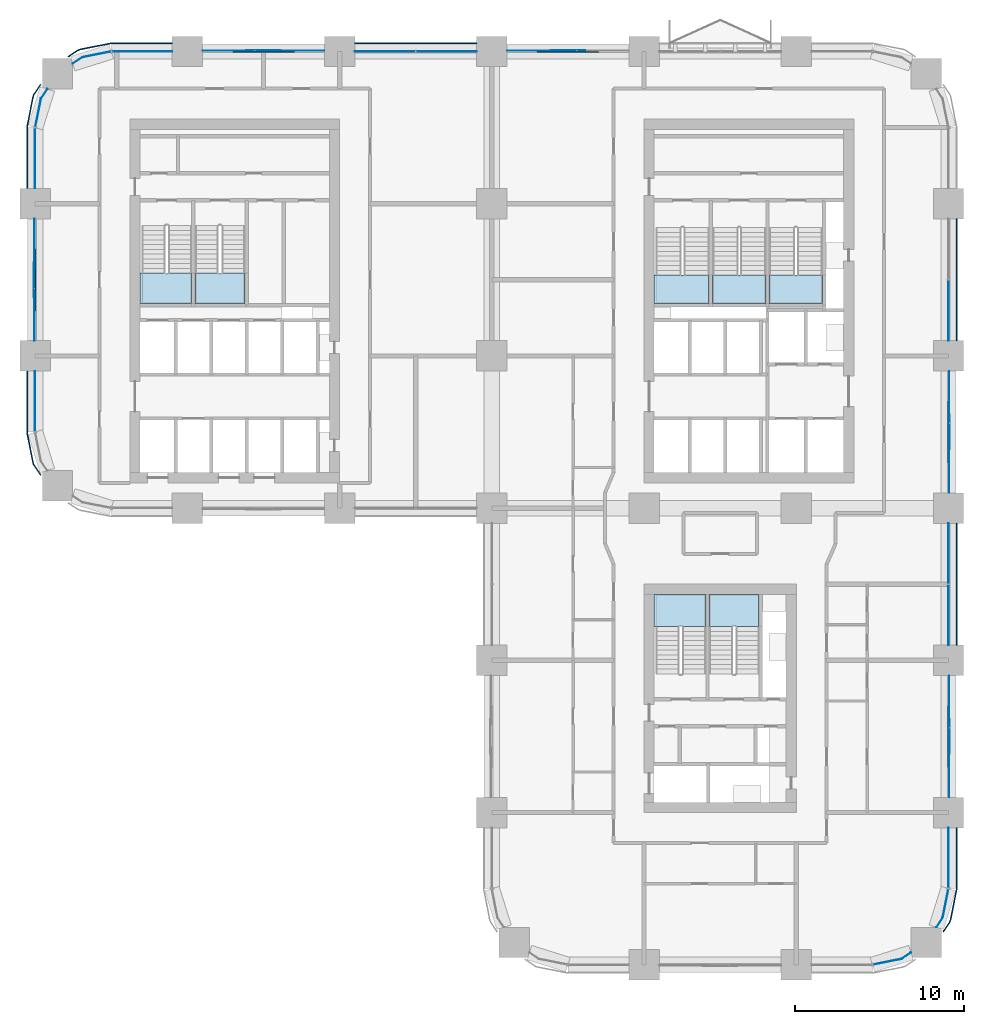
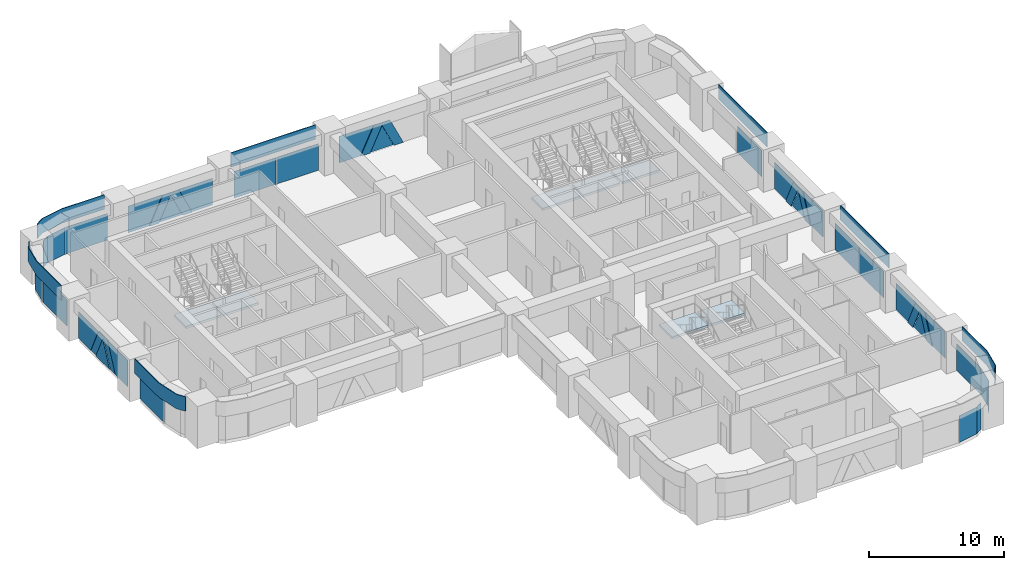
# One storey, part 10 of 26: 39 plates, 7 slabs, 20 elements without a shape of their own.
"""IFC4 building model written with IfcOpenShell, lengths in metres."""

from ifc_helpers import new_model, si_unit, direction, frame, origin, origin_2d, place, context, subcontext, project, spatial, polyline, rectangle, outline, extrude, material, layer, layer_set, type_object, element, aggregate, save


model = new_model("IFC4")

# Units and contexts
model_context = context("Model", 3, precision=1e-05, world=origin(), true_north=direction((0.0, 1.0)))
body_context = subcontext(model_context, "Body", "Model", "MODEL_VIEW")
ifc_project = project(units=[si_unit("LENGTHUNIT", "METRE"), si_unit("AREAUNIT", "SQUARE_METRE"), si_unit("VOLUMEUNIT", "CUBIC_METRE"), si_unit("PLANEANGLEUNIT", "RADIAN"), si_unit("MASSUNIT", "GRAM", prefix="KILO")], contexts=[model_context])

# Site, building, storey
site_placement = place(None, origin())
site = spatial("IfcSite", under=ifc_project, at=site_placement, CompositionType="ELEMENT")
building_placement = place(site_placement, origin())
building = spatial("IfcBuilding", under=site, at=building_placement, Name="Tessera Arch", CompositionType="ELEMENT")
storey_placement = place(building_placement, frame((0.0, 0.0, 96.800048828125)))
storey = spatial("IfcBuildingStorey", under=building, at=storey_placement, Name="L22", CompositionType="ELEMENT", Elevation=96.800048828125)

# Curtain wall, plates
ifc_material_1 = material(Name="CW1 curtain wall")
curtain_wall_type_1 = type_object("IfcCurtainWallType", Name="CW1 curtain wall", PredefinedType="NOTDEFINED", material=ifc_material_1)
curtain_wall_1_placement = place(storey_placement, origin())
curtain_wall_1 = element("IfcCurtainWall", 1, at=curtain_wall_1_placement, inside=storey, type_object=curtain_wall_type_1, Name="CW1 curtain wall N54.0/2 L22", PredefinedType="NOTDEFINED")
ifc_material_2 = material(Name="Clear low-e glass", Category="glass")
ifc_material_3 = material(Name="Clear low-e glass", Category="glass")
ifc_layer_1 = layer(ifc_material_3, 0.028076171875)
ifc_layer_set_1 = layer_set([ifc_layer_1], Name="CW1 glass panel")
plate_type_1 = type_object("IfcPlateType", Name="CW1 glass panel", PredefinedType="CURTAIN_PANEL", material=ifc_layer_set_1)
plate_1_placement = place(storey_placement, frame((24.31494140625, 54.0, 0.0), z_axis=(0.0, 0.0, 1.0), x_axis=(-1.0, 0.0, 0.0)))
plate_1 = element("IfcPlate", 2, at=plate_1_placement, type_object=plate_type_1, material=ifc_material_2, Name="CW1 glass panel N54.0/2 1.1.1", PredefinedType="CURTAIN_PANEL", context=body_context, shape_type="SweptSolid", body=[
    extrude(rectangle(XDim=3.570068359375, YDim=0.028076171875, at=origin_2d()), origin(), (0.0, 0.0, 1.0), 2.39990234375),
])
plate_2_placement = place(storey_placement, frame((20.68505859375, 54.0, 0.0), z_axis=(0.0, 0.0, 1.0), x_axis=(-1.0, 0.0, 0.0)))
plate_2 = element("IfcPlate", 3, at=plate_2_placement, type_object=plate_type_1, material=ifc_material_2, Name="CW1 glass panel N54.0/2 1.2.1", PredefinedType="CURTAIN_PANEL", context=body_context, shape_type="SweptSolid", body=[
    extrude(rectangle(XDim=3.570068359375, YDim=0.028076171875, at=origin_2d()), origin(), (0.0, 0.0, 1.0), 2.39990234375),
])

curtain_wall_2_placement = place(storey_placement, origin())
curtain_wall_2 = element("IfcCurtainWall", 4, at=curtain_wall_2_placement, inside=storey, type_object=curtain_wall_type_1, Name="CW1 curtain wall E54.0/2 L22", PredefinedType="NOTDEFINED")
plate_3_placement = place(storey_placement, frame((54.0, 20.68505859375, 0.0), z_axis=(0.0, 0.0, 1.0), x_axis=(0.0, 1.0, 0.0)))
plate_3 = element("IfcPlate", 5, at=plate_3_placement, type_object=plate_type_1, material=ifc_material_2, Name="CW1 glass panel E54.0/2 1.1.1", PredefinedType="CURTAIN_PANEL", context=body_context, shape_type="SweptSolid", body=[
    extrude(rectangle(XDim=3.570068359375, YDim=0.028076171875, at=origin_2d()), origin(), (0.0, 0.0, 1.0), 2.39990234375),
])
plate_4_placement = place(storey_placement, frame((54.0, 24.31494140625, 0.0), z_axis=(0.0, 0.0, 1.0), x_axis=(0.0, 1.0, 0.0)))
plate_4 = element("IfcPlate", 6, at=plate_4_placement, type_object=plate_type_1, material=ifc_material_2, Name="CW1 glass panel E54.0/2 1.2.1", PredefinedType="CURTAIN_PANEL", context=body_context, shape_type="SweptSolid", body=[
    extrude(rectangle(XDim=3.570068359375, YDim=0.028076171875, at=origin_2d()), origin(), (0.0, 0.0, 1.0), 2.39990234375),
])

# Curtain wall, plate
curtain_wall_3_placement = place(storey_placement, origin())
curtain_wall_3 = element("IfcCurtainWall", 7, at=curtain_wall_3_placement, inside=storey, type_object=curtain_wall_type_1, Name="CW1 curtain wall E54.0/4 L22", PredefinedType="NOTDEFINED")
plate_5_placement = place(storey_placement, frame((54.0, 38.68505859375, 0.0), z_axis=(0.0, 0.0, 1.0), x_axis=(0.0, 1.0, 0.0)))
plate_5 = element("IfcPlate", 8, at=plate_5_placement, type_object=plate_type_1, material=ifc_material_2, Name="CW1 glass panel E54.0/4 1.1.1", PredefinedType="CURTAIN_PANEL", context=body_context, shape_type="SweptSolid", body=[
    extrude(rectangle(XDim=3.570068359375, YDim=0.028076171875, at=origin_2d()), origin(), (0.0, 0.0, 1.0), 2.39990234375),
])

# Plate
ifc_material_4 = material(Name="Pale anodised aluminium panel", Category="aluminium")
ifc_layer_2 = layer(ifc_material_4, 0.06005859375)
ifc_layer_set_2 = layer_set([ifc_layer_2], Name="CW1 spandrel panel")
plate_type_2 = type_object("IfcPlateType", Name="CW1 spandrel panel", PredefinedType="CURTAIN_PANEL", material=ifc_layer_set_2)
plate_6_placement = place(storey_placement, frame((22.5, 54.47998046875, 2.5), z_axis=(0.0, 0.0, 1.0), x_axis=(-1.0, 0.0, 0.0)))
plate_6 = element("IfcPlate", 9, at=plate_6_placement, type_object=plate_type_2, Name="CW1 spandrel panel N54.0/2", PredefinedType="CURTAIN_PANEL", context=body_context, shape_type="SweptSolid", body=[
    extrude(rectangle(XDim=7.199951171875, YDim=0.06005859375, at=origin_2d()), origin(), (0.0, 0.0, 1.0), 1.300048828125),
])

aggregate(curtain_wall_1, [plate_1, plate_2, plate_6])

plate_7_placement = place(storey_placement, frame((54.47998046875, 22.5, 2.5), z_axis=(0.0, 0.0, 1.0), x_axis=(0.0, 1.0, 0.0)))
plate_7 = element("IfcPlate", 10, at=plate_7_placement, type_object=plate_type_2, Name="CW1 spandrel panel E54.0/2", PredefinedType="CURTAIN_PANEL", context=body_context, shape_type="SweptSolid", body=[
    extrude(rectangle(XDim=7.199951171875, YDim=0.06005859375, at=origin_2d()), origin(), (0.0, 0.0, 1.0), 1.300048828125),
])

aggregate(curtain_wall_2, [plate_3, plate_4, plate_7])

plate_8_placement = place(storey_placement, frame((54.47998046875, 40.5, 2.5), z_axis=(0.0, 0.0, 1.0), x_axis=(0.0, 1.0, 0.0)))
plate_8 = element("IfcPlate", 11, at=plate_8_placement, type_object=plate_type_2, Name="CW1 spandrel panel E54.0/4", PredefinedType="CURTAIN_PANEL", context=body_context, shape_type="SweptSolid", body=[
    extrude(rectangle(XDim=7.199951171875, YDim=0.06005859375, at=origin_2d()), origin(), (0.0, 0.0, 1.0), 1.300048828125),
])

aggregate(curtain_wall_3, [plate_5, plate_8])

# Curtain wall, plates
ifc_material_5 = material(Name="CW2 curtain wall")
curtain_wall_type_2 = type_object("IfcCurtainWallType", Name="CW2 curtain wall", PredefinedType="NOTDEFINED", material=ifc_material_5)
curtain_wall_4_placement = place(storey_placement, origin())
curtain_wall_4 = element("IfcCurtainWall", 12, at=curtain_wall_4_placement, inside=storey, type_object=curtain_wall_type_2, Name="CW2 curtain wall N54.0/4 L22", PredefinedType="NOTDEFINED")
ifc_material_6 = material(Name="Clear low-e glass", Category="glass")
ifc_layer_3 = layer(ifc_material_6, 0.028076171875)
ifc_layer_set_3 = layer_set([ifc_layer_3], Name="CW2 glass panel")
plate_type_3 = type_object("IfcPlateType", Name="CW2 glass panel", PredefinedType="CURTAIN_PANEL", material=ifc_layer_set_3)
plate_9_placement = place(storey_placement, frame((6.320068359375, 54.0, 0.0), z_axis=(0.0, 0.0, 1.0), x_axis=(-1.0, 0.0, 0.0)))
plate_9 = element("IfcPlate", 13, at=plate_9_placement, type_object=plate_type_3, material=ifc_material_2, Name="CW2 glass panel N54.0/4 1.1", PredefinedType="CURTAIN_PANEL", context=body_context, shape_type="SweptSolid", body=[
    extrude(rectangle(XDim=3.56005859375, YDim=0.028076171875, at=origin_2d()), origin(), (0.0, 0.0, 1.0), 2.39990234375),
])
plate_10_placement = place(storey_placement, origin())
plate_10 = element("IfcPlate", 14, at=plate_10_placement, type_object=plate_type_3, material=ifc_material_2, Name="CW2 curved glass panel N54.0/4 2.1", PredefinedType="CURTAIN_PANEL", context=body_context, shape_type="SweptSolid", body=[
    extrude(outline(polyline([(2.783447265625, 53.644287109375), (4.46337890625, 53.978515625), (4.4580078125, 54.005859375), (2.7724609375, 53.670654296875), (2.210205078125, 53.294921875), (2.225830078125, 53.271728515625), (2.783447265625, 53.644287109375)])), origin(), (0.0, 0.0, 1.0), 2.39990234375),
])

curtain_wall_5_placement = place(storey_placement, origin())
curtain_wall_5 = element("IfcCurtainWall", 15, at=curtain_wall_5_placement, inside=storey, type_object=curtain_wall_type_2, Name="CW2 curtain wall W0.27/0 L22", PredefinedType="NOTDEFINED")
plate_11_placement = place(storey_placement, frame((0.0, 47.679931640625, 0.0), z_axis=(0.0, 0.0, 1.0), x_axis=(0.0, -1.0, 0.0)))
plate_11 = element("IfcPlate", 16, at=plate_11_placement, type_object=plate_type_3, material=ifc_material_2, Name="CW2 glass panel W0.27/0 1.1", PredefinedType="CURTAIN_PANEL", context=body_context, shape_type="SweptSolid", body=[
    extrude(rectangle(XDim=3.56005859375, YDim=0.028076171875, at=origin_2d()), origin(), (0.0, 0.0, 1.0), 2.39990234375),
])
plate_12_placement = place(storey_placement, origin())
plate_12 = element("IfcPlate", 17, at=plate_12_placement, type_object=plate_type_3, material=ifc_material_2, Name="CW2 curved glass panel W0.27/0 2.1", PredefinedType="CURTAIN_PANEL", context=body_context, shape_type="SweptSolid", body=[
    extrude(outline(polyline([(0.355712890625, 51.216552734375), (0.728271484375, 51.774169921875), (0.705078125, 51.789794921875), (0.329345703125, 51.2275390625), (-0.005859375, 49.5419921875), (0.021484375, 49.53662109375), (0.355712890625, 51.216552734375)])), origin(), (0.0, 0.0, 1.0), 2.39990234375),
])

# Curtain wall, plate
curtain_wall_6_placement = place(storey_placement, origin())
curtain_wall_6 = element("IfcCurtainWall", 18, at=curtain_wall_6_placement, inside=storey, type_object=curtain_wall_type_2, Name="CW2 curtain wall W0.27/2 L22", PredefinedType="NOTDEFINED")
plate_13_placement = place(storey_placement, frame((0.0, 33.320068359375, 0.0), z_axis=(0.0, 0.0, 1.0), x_axis=(0.0, -1.0, 0.0)))
plate_13 = element("IfcPlate", 19, at=plate_13_placement, type_object=plate_type_3, material=ifc_material_2, Name="CW2 glass panel W0.27/2 1.1", PredefinedType="CURTAIN_PANEL", context=body_context, shape_type="SweptSolid", body=[
    extrude(rectangle(XDim=3.56005859375, YDim=0.028076171875, at=origin_2d()), origin(), (0.0, 0.0, 1.0), 2.39990234375),
])

curtain_wall_7_placement = place(storey_placement, origin())
curtain_wall_7 = element("IfcCurtainWall", 20, at=curtain_wall_7_placement, inside=storey, type_object=curtain_wall_type_2, Name="CW2 curtain wall S0.27/2 L22", PredefinedType="NOTDEFINED")
plate_14_placement = place(storey_placement, origin())
plate_14 = element("IfcPlate", 21, at=plate_14_placement, type_object=plate_type_3, material=ifc_material_2, Name="CW2 curved glass panel S0.27/2 2.1", PredefinedType="CURTAIN_PANEL", context=body_context, shape_type="SweptSolid", body=[
    extrude(outline(polyline([(51.216552734375, 0.355712890625), (49.53662109375, 0.021484375), (49.5419921875, -0.005859375), (51.2275390625, 0.329345703125), (51.789794921875, 0.705078125), (51.774169921875, 0.728271484375), (51.216552734375, 0.355712890625)])), origin(), (0.0, 0.0, 1.0), 2.39990234375),
])
aggregate(curtain_wall_7, [plate_14])

# Curtain wall, plates
curtain_wall_8_placement = place(storey_placement, origin())
curtain_wall_8 = element("IfcCurtainWall", 22, at=curtain_wall_8_placement, inside=storey, type_object=curtain_wall_type_2, Name="CW2 curtain wall E54.0/0 L22", PredefinedType="NOTDEFINED")
plate_15_placement = place(storey_placement, frame((54.0, 6.320068359375, 0.0), z_axis=(0.0, 0.0, 1.0), x_axis=(0.0, 1.0, 0.0)))
plate_15 = element("IfcPlate", 23, at=plate_15_placement, type_object=plate_type_3, material=ifc_material_2, Name="CW2 glass panel E54.0/0 1.1", PredefinedType="CURTAIN_PANEL", context=body_context, shape_type="SweptSolid", body=[
    extrude(rectangle(XDim=3.56005859375, YDim=0.028076171875, at=origin_2d()), origin(), (0.0, 0.0, 1.0), 2.39990234375),
])
plate_16_placement = place(storey_placement, origin())
plate_16 = element("IfcPlate", 24, at=plate_16_placement, type_object=plate_type_3, material=ifc_material_2, Name="CW2 curved glass panel E54.0/0 2.1", PredefinedType="CURTAIN_PANEL", context=body_context, shape_type="SweptSolid", body=[
    extrude(outline(polyline([(53.644287109375, 2.783447265625), (53.271728515625, 2.225830078125), (53.294921875, 2.210205078125), (53.670654296875, 2.7724609375), (54.005859375, 4.4580078125), (53.978515625, 4.46337890625), (53.644287109375, 2.783447265625)])), origin(), (0.0, 0.0, 1.0), 2.39990234375),
])

# Plate
ifc_material_7 = material(Name="Pale anodised aluminium panel", Category="aluminium")
ifc_layer_4 = layer(ifc_material_7, 0.06005859375)
ifc_layer_set_4 = layer_set([ifc_layer_4], Name="CW2 spandrel panel")
plate_type_4 = type_object("IfcPlateType", Name="CW2 spandrel panel", PredefinedType="CURTAIN_PANEL", material=ifc_layer_set_4)
plate_17_placement = place(storey_placement, frame((0.0, 0.0, 2.5)))
plate_17 = element("IfcPlate", 25, at=plate_17_placement, type_object=plate_type_4, Name="CW2 spandrel panel N54.0/4", PredefinedType="CURTAIN_PANEL", context=body_context, shape_type="SweptSolid", body=[
    extrude(outline(polyline([(4.500732421875, 54.449951171875), (8.10009765625, 54.449951171875), (8.10009765625, 54.510009765625), (4.499267578125, 54.510009765625), (4.449951171875, 54.507568359375), (4.401123046875, 54.500244140625), (2.677734375, 54.157470703125), (2.6298828125, 54.1455078125), (2.582763671875, 54.128662109375), (2.537353515625, 54.107177734375), (2.4951171875, 54.08203125), (1.9345703125, 53.707275390625), (1.968017578125, 53.657470703125), (2.52734375, 54.03125), (2.565673828125, 54.05419921875), (2.605712890625, 54.0732421875), (2.647216796875, 54.088134765625), (2.69091796875, 54.09912109375), (4.411376953125, 54.441162109375), (4.455810546875, 54.44775390625), (4.500732421875, 54.449951171875)])), origin(), (0.0, 0.0, 1.0), 1.300048828125),
])

aggregate(curtain_wall_4, [plate_9, plate_10, plate_17])

plate_18_placement = place(storey_placement, frame((0.0, 0.0, 2.5)))
plate_18 = element("IfcPlate", 26, at=plate_18_placement, type_object=plate_type_4, Name="CW2 spandrel panel W0.27/0", PredefinedType="CURTAIN_PANEL", context=body_context, shape_type="SweptSolid", body=[
    extrude(outline(polyline([(-0.03125, 51.47265625), (0.342529296875, 52.031982421875), (0.292724609375, 52.0654296875), (-0.08203125, 51.5048828125), (-0.107177734375, 51.462646484375), (-0.128662109375, 51.417236328125), (-0.1455078125, 51.3701171875), (-0.157470703125, 51.322265625), (-0.500244140625, 49.598876953125), (-0.507568359375, 49.550048828125), (-0.510009765625, 49.500732421875), (-0.510009765625, 45.89990234375), (-0.449951171875, 45.89990234375), (-0.449951171875, 49.499267578125), (-0.44775390625, 49.544189453125), (-0.441162109375, 49.588623046875), (-0.09912109375, 51.30908203125), (-0.088134765625, 51.352783203125), (-0.0732421875, 51.394287109375), (-0.05419921875, 51.434326171875), (-0.03125, 51.47265625)])), origin(), (0.0, 0.0, 1.0), 1.300048828125),
])

aggregate(curtain_wall_5, [plate_11, plate_12, plate_18])

plate_19_placement = place(storey_placement, frame((0.0, 0.0, 2.5)))
plate_19 = element("IfcPlate", 27, at=plate_19_placement, type_object=plate_type_4, Name="CW2 spandrel panel W0.27/2", PredefinedType="CURTAIN_PANEL", context=body_context, shape_type="SweptSolid", body=[
    extrude(outline(polyline([(-0.449951171875, 31.500732421875), (-0.449951171875, 35.10009765625), (-0.510009765625, 35.10009765625), (-0.510009765625, 31.499267578125), (-0.507568359375, 31.449951171875), (-0.500244140625, 31.401123046875), (-0.157470703125, 29.677734375), (-0.1455078125, 29.6298828125), (-0.128662109375, 29.582763671875), (-0.107177734375, 29.537353515625), (-0.08203125, 29.4951171875), (0.292724609375, 28.9345703125), (0.342529296875, 28.968017578125), (-0.03125, 29.52734375), (-0.05419921875, 29.565673828125), (-0.0732421875, 29.605712890625), (-0.088134765625, 29.647216796875), (-0.09912109375, 29.69091796875), (-0.441162109375, 31.411376953125), (-0.44775390625, 31.455810546875), (-0.449951171875, 31.500732421875)])), origin(), (0.0, 0.0, 1.0), 1.300048828125),
])

aggregate(curtain_wall_6, [plate_13, plate_19])

plate_20_placement = place(storey_placement, frame((0.0, 0.0, 2.5)))
plate_20 = element("IfcPlate", 28, at=plate_20_placement, type_object=plate_type_4, Name="CW2 spandrel panel E54.0/0", PredefinedType="CURTAIN_PANEL", context=body_context, shape_type="SweptSolid", body=[
    extrude(outline(polyline([(54.03125, 2.52734375), (53.657470703125, 1.968017578125), (53.707275390625, 1.9345703125), (54.08203125, 2.4951171875), (54.107177734375, 2.537353515625), (54.128662109375, 2.582763671875), (54.1455078125, 2.6298828125), (54.157470703125, 2.677734375), (54.500244140625, 4.401123046875), (54.507568359375, 4.449951171875), (54.510009765625, 4.499267578125), (54.510009765625, 8.10009765625), (54.449951171875, 8.10009765625), (54.449951171875, 4.500732421875), (54.44775390625, 4.455810546875), (54.441162109375, 4.411376953125), (54.09912109375, 2.69091796875), (54.088134765625, 2.647216796875), (54.0732421875, 2.605712890625), (54.05419921875, 2.565673828125), (54.03125, 2.52734375)])), origin(), (0.0, 0.0, 1.0), 1.300048828125),
])

aggregate(curtain_wall_8, [plate_15, plate_16, plate_20])

# Curtain wall, plate
ifc_material_8 = material(Name="CW3 curtain wall")
curtain_wall_type_3 = type_object("IfcCurtainWallType", Name="CW3 curtain wall", PredefinedType="NOTDEFINED", material=ifc_material_8)
curtain_wall_9_placement = place(storey_placement, origin())
curtain_wall_9 = element("IfcCurtainWall", 29, at=curtain_wall_9_placement, inside=storey, type_object=curtain_wall_type_3, Name="CW3 curtain wall N54.0/1 L22", PredefinedType="NOTDEFINED")
ifc_material_9 = material(Name="Pale anodised aluminium panel", Category="aluminium")
ifc_layer_5 = layer(ifc_material_9, 0.06005859375)
ifc_layer_set_5 = layer_set([ifc_layer_5], Name="CW3 diagonal panel")
plate_type_5 = type_object("IfcPlateType", Name="CW3 diagonal panel", PredefinedType="CURTAIN_PANEL", material=ifc_layer_set_5)
plate_21_placement = place(storey_placement, frame((30.816650390625, 54.030029296875, 2.39990234375), z_axis=(0.0, 1.0, 0.0), x_axis=(1.0, 0.0, 0.0)))
plate_21 = element("IfcPlate", 30, at=plate_21_placement, type_object=plate_type_5, Name="CW3 diagonal panel N54.0/1 1", PredefinedType="CURTAIN_PANEL", context=body_context, shape_type="SweptSolid", body=[
    extrude(outline(polyline([(0.0, 0.0), (1.36669921875, 0.0), (2.50341796875, 2.39990234375), (1.705322265625, 2.39990234375), (0.683349609375, 0.242431640625), (-0.338623046875, 2.39990234375), (-1.13671875, 2.39990234375), (0.0, 0.0)])), origin(), (0.0, 0.0, -1.0), 0.06005859375),
])

curtain_wall_10_placement = place(storey_placement, origin())
curtain_wall_10 = element("IfcCurtainWall", 31, at=curtain_wall_10_placement, inside=storey, type_object=curtain_wall_type_3, Name="CW3 curtain wall N54.0/3 L22", PredefinedType="NOTDEFINED")
plate_22_placement = place(storey_placement, frame((12.816650390625, 54.030029296875, 2.39990234375), z_axis=(0.0, 1.0, 0.0), x_axis=(1.0, 0.0, 0.0)))
plate_22 = element("IfcPlate", 32, at=plate_22_placement, type_object=plate_type_5, Name="CW3 diagonal panel N54.0/3 1", PredefinedType="CURTAIN_PANEL", context=body_context, shape_type="SweptSolid", body=[
    extrude(outline(polyline([(0.0, 0.0), (1.36669921875, 0.0), (2.50341796875, 2.39990234375), (1.705322265625, 2.39990234375), (0.683349609375, 0.242431640625), (-0.338623046875, 2.39990234375), (-1.13671875, 2.39990234375), (0.0, 0.0)])), origin(), (0.0, 0.0, -1.0), 0.06005859375),
])

curtain_wall_11_placement = place(storey_placement, origin())
curtain_wall_11 = element("IfcCurtainWall", 33, at=curtain_wall_11_placement, inside=storey, type_object=curtain_wall_type_3, Name="CW3 curtain wall W0.27/1 L22", PredefinedType="NOTDEFINED")
plate_23_placement = place(storey_placement, frame((-0.030029296875, 39.816650390625, 2.39990234375), z_axis=(-1.0, 0.0, 0.0), x_axis=(0.0, 1.0, 0.0)))
plate_23 = element("IfcPlate", 34, at=plate_23_placement, type_object=plate_type_5, Name="CW3 diagonal panel W0.27/1 1", PredefinedType="CURTAIN_PANEL", context=body_context, shape_type="SweptSolid", body=[
    extrude(outline(polyline([(0.0, 0.0), (1.36669921875, 0.0), (2.50341796875, 2.39990234375), (1.705322265625, 2.39990234375), (0.683349609375, 0.242431640625), (-0.338623046875, 2.39990234375), (-1.13671875, 2.39990234375), (0.0, 0.0)])), origin(), (0.0, 0.0, -1.0), 0.06005859375),
])

curtain_wall_12_placement = place(storey_placement, origin())
curtain_wall_12 = element("IfcCurtainWall", 35, at=curtain_wall_12_placement, inside=storey, type_object=curtain_wall_type_3, Name="CW3 curtain wall E54.0/1 L22", PredefinedType="NOTDEFINED")
plate_24_placement = place(storey_placement, frame((54.030029296875, 14.183349609375, 2.39990234375), z_axis=(1.0, 0.0, 0.0), x_axis=(0.0, -1.0, 0.0)))
plate_24 = element("IfcPlate", 36, at=plate_24_placement, type_object=plate_type_5, Name="CW3 diagonal panel E54.0/1 1", PredefinedType="CURTAIN_PANEL", context=body_context, shape_type="SweptSolid", body=[
    extrude(outline(polyline([(0.0, 0.0), (1.36669921875, 0.0), (2.50341796875, 2.39990234375), (1.705322265625, 2.39990234375), (0.683349609375, 0.242431640625), (-0.338623046875, 2.39990234375), (-1.13671875, 2.39990234375), (0.0, 0.0)])), origin(), (0.0, 0.0, -1.0), 0.06005859375),
])

curtain_wall_13_placement = place(storey_placement, origin())
curtain_wall_13 = element("IfcCurtainWall", 37, at=curtain_wall_13_placement, inside=storey, type_object=curtain_wall_type_3, Name="CW3 curtain wall E54.0/3 L22", PredefinedType="NOTDEFINED")
plate_25_placement = place(storey_placement, frame((54.030029296875, 32.183349609375, 2.39990234375), z_axis=(1.0, 0.0, 0.0), x_axis=(0.0, -1.0, 0.0)))
plate_25 = element("IfcPlate", 38, at=plate_25_placement, type_object=plate_type_5, Name="CW3 diagonal panel E54.0/3 1", PredefinedType="CURTAIN_PANEL", context=body_context, shape_type="SweptSolid", body=[
    extrude(outline(polyline([(0.0, 0.0), (1.36669921875, 0.0), (2.50341796875, 2.39990234375), (1.705322265625, 2.39990234375), (0.683349609375, 0.242431640625), (-0.338623046875, 2.39990234375), (-1.13671875, 2.39990234375), (0.0, 0.0)])), origin(), (0.0, 0.0, -1.0), 0.06005859375),
])

# Plate
ifc_material_10 = material(Name="Clear low-e glass", Category="glass")
ifc_layer_6 = layer(ifc_material_10, 0.028076171875)
ifc_layer_set_6 = layer_set([ifc_layer_6], Name="CW3 glass panel")
plate_type_6 = type_object("IfcPlateType", Name="CW3 glass panel", PredefinedType="CURTAIN_PANEL", material=ifc_layer_set_6)
plate_26_placement = place(storey_placement, frame((32.52197265625, 54.0859375, 0.0), z_axis=(0.0, 1.0, 0.0), x_axis=(-1.0, 0.0, 0.0)))
plate_26 = element("IfcPlate", 39, at=plate_26_placement, type_object=plate_type_6, material=ifc_material_2, Name="CW3 triangulated glass panel N54.0/1 2", PredefinedType="CURTAIN_PANEL", context=body_context, shape_type="SweptSolid", body=[
    extrude(outline(polyline([(0.0, 0.0), (2.0439453125, 0.0), (1.02197265625, 2.157470703125), (0.0, 0.0)])), origin(), (0.0, 0.0, -1.0), 0.028076171875),
])

plate_27_placement = place(storey_placement, frame((27.89990234375, 54.05810546875, 2.39990234375), z_axis=(0.0, 1.0, 0.0), x_axis=(1.0, 0.0, 0.0)))
plate_27 = element("IfcPlate", 40, at=plate_27_placement, type_object=plate_type_6, material=ifc_material_2, Name="CW3 triangulated glass panel N54.0/1 3", PredefinedType="CURTAIN_PANEL", context=body_context, shape_type="SweptSolid", body=[
    extrude(outline(polyline([(0.0, 0.0), (2.916748046875, 0.0), (1.780029296875, 2.39990234375), (0.0, 2.39990234375), (0.0, 0.0)])), origin(), (0.0, 0.0, -1.0), 0.028076171875),
])

aggregate(curtain_wall_9, [plate_26, plate_27, plate_21])

plate_28_placement = place(storey_placement, frame((17.10009765625, 54.05810546875, 0.0), z_axis=(0.0, 1.0, 0.0), x_axis=(-1.0, 0.0, 0.0)))
plate_28 = element("IfcPlate", 41, at=plate_28_placement, type_object=plate_type_6, material=ifc_material_2, Name="CW3 triangulated glass panel N54.0/3 1", PredefinedType="CURTAIN_PANEL", context=body_context, shape_type="SweptSolid", body=[
    extrude(outline(polyline([(0.0, 0.0), (1.780029296875, 0.0), (2.916748046875, 2.39990234375), (0.0, 2.39990234375), (0.0, 0.0)])), origin(), (0.0, 0.0, -1.0), 0.028076171875),
])

plate_29_placement = place(storey_placement, frame((14.52197265625, 54.0859375, 0.0), z_axis=(0.0, 1.0, 0.0), x_axis=(-1.0, 0.0, 0.0)))
plate_29 = element("IfcPlate", 42, at=plate_29_placement, type_object=plate_type_6, material=ifc_material_2, Name="CW3 triangulated glass panel N54.0/3 2", PredefinedType="CURTAIN_PANEL", context=body_context, shape_type="SweptSolid", body=[
    extrude(outline(polyline([(0.0, 0.0), (2.0439453125, 0.0), (1.02197265625, 2.157470703125), (0.0, 0.0)])), origin(), (0.0, 0.0, -1.0), 0.028076171875),
])

plate_30_placement = place(storey_placement, frame((9.89990234375, 54.05810546875, 2.39990234375), z_axis=(0.0, 1.0, 0.0), x_axis=(1.0, 0.0, 0.0)))
plate_30 = element("IfcPlate", 43, at=plate_30_placement, type_object=plate_type_6, material=ifc_material_2, Name="CW3 triangulated glass panel N54.0/3 3", PredefinedType="CURTAIN_PANEL", context=body_context, shape_type="SweptSolid", body=[
    extrude(outline(polyline([(0.0, 0.0), (2.916748046875, 0.0), (1.780029296875, 2.39990234375), (0.0, 2.39990234375), (0.0, 0.0)])), origin(), (0.0, 0.0, -1.0), 0.028076171875),
])

aggregate(curtain_wall_10, [plate_28, plate_29, plate_30, plate_22])

plate_31_placement = place(storey_placement, frame((-0.05810546875, 44.10009765625, 0.0), z_axis=(-1.0, 0.0, 0.0), x_axis=(0.0, -1.0, 0.0)))
plate_31 = element("IfcPlate", 44, at=plate_31_placement, type_object=plate_type_6, material=ifc_material_2, Name="CW3 triangulated glass panel W0.27/1 1", PredefinedType="CURTAIN_PANEL", context=body_context, shape_type="SweptSolid", body=[
    extrude(outline(polyline([(0.0, 0.0), (1.780029296875, 0.0), (2.916748046875, 2.39990234375), (0.0, 2.39990234375), (0.0, 0.0)])), origin(), (0.0, 0.0, -1.0), 0.028076171875),
])

plate_32_placement = place(storey_placement, frame((-0.0859375, 41.52197265625, 0.0), z_axis=(-1.0, 0.0, 0.0), x_axis=(0.0, -1.0, 0.0)))
plate_32 = element("IfcPlate", 45, at=plate_32_placement, type_object=plate_type_6, material=ifc_material_2, Name="CW3 triangulated glass panel W0.27/1 2", PredefinedType="CURTAIN_PANEL", context=body_context, shape_type="SweptSolid", body=[
    extrude(outline(polyline([(0.0, 0.0), (2.0439453125, 0.0), (1.02197265625, 2.157470703125), (0.0, 0.0)])), origin(), (0.0, 0.0, -1.0), 0.028076171875),
])

plate_33_placement = place(storey_placement, frame((-0.05810546875, 36.89990234375, 2.39990234375), z_axis=(-1.0, 0.0, 0.0), x_axis=(0.0, 1.0, 0.0)))
plate_33 = element("IfcPlate", 46, at=plate_33_placement, type_object=plate_type_6, material=ifc_material_2, Name="CW3 triangulated glass panel W0.27/1 3", PredefinedType="CURTAIN_PANEL", context=body_context, shape_type="SweptSolid", body=[
    extrude(outline(polyline([(0.0, 0.0), (2.916748046875, 0.0), (1.780029296875, 2.39990234375), (0.0, 2.39990234375), (0.0, 0.0)])), origin(), (0.0, 0.0, -1.0), 0.028076171875),
])

aggregate(curtain_wall_11, [plate_31, plate_32, plate_33, plate_23])

plate_34_placement = place(storey_placement, frame((54.05810546875, 9.89990234375, 0.0), z_axis=(1.0, 0.0, 0.0), x_axis=(0.0, 1.0, 0.0)))
plate_34 = element("IfcPlate", 47, at=plate_34_placement, type_object=plate_type_6, material=ifc_material_2, Name="CW3 triangulated glass panel E54.0/1 1", PredefinedType="CURTAIN_PANEL", context=body_context, shape_type="SweptSolid", body=[
    extrude(outline(polyline([(0.0, 0.0), (1.780029296875, 0.0), (2.916748046875, 2.39990234375), (0.0, 2.39990234375), (0.0, 0.0)])), origin(), (0.0, 0.0, -1.0), 0.028076171875),
])

plate_35_placement = place(storey_placement, frame((54.0859375, 12.47802734375, 0.0), z_axis=(1.0, 0.0, 0.0), x_axis=(0.0, 1.0, 0.0)))
plate_35 = element("IfcPlate", 48, at=plate_35_placement, type_object=plate_type_6, material=ifc_material_2, Name="CW3 triangulated glass panel E54.0/1 2", PredefinedType="CURTAIN_PANEL", context=body_context, shape_type="SweptSolid", body=[
    extrude(outline(polyline([(0.0, 0.0), (2.0439453125, 0.0), (1.02197265625, 2.157470703125), (0.0, 0.0)])), origin(), (0.0, 0.0, -1.0), 0.028076171875),
])

plate_36_placement = place(storey_placement, frame((54.05810546875, 17.10009765625, 2.39990234375), z_axis=(1.0, 0.0, 0.0), x_axis=(0.0, -1.0, 0.0)))
plate_36 = element("IfcPlate", 49, at=plate_36_placement, type_object=plate_type_6, material=ifc_material_2, Name="CW3 triangulated glass panel E54.0/1 3", PredefinedType="CURTAIN_PANEL", context=body_context, shape_type="SweptSolid", body=[
    extrude(outline(polyline([(0.0, 0.0), (2.916748046875, 0.0), (1.780029296875, 2.39990234375), (0.0, 2.39990234375), (0.0, 0.0)])), origin(), (0.0, 0.0, -1.0), 0.028076171875),
])

aggregate(curtain_wall_12, [plate_34, plate_35, plate_36, plate_24])

plate_37_placement = place(storey_placement, frame((54.05810546875, 27.89990234375, 0.0), z_axis=(1.0, 0.0, 0.0), x_axis=(0.0, 1.0, 0.0)))
plate_37 = element("IfcPlate", 50, at=plate_37_placement, type_object=plate_type_6, material=ifc_material_2, Name="CW3 triangulated glass panel E54.0/3 1", PredefinedType="CURTAIN_PANEL", context=body_context, shape_type="SweptSolid", body=[
    extrude(outline(polyline([(0.0, 0.0), (1.780029296875, 0.0), (2.916748046875, 2.39990234375), (0.0, 2.39990234375), (0.0, 0.0)])), origin(), (0.0, 0.0, -1.0), 0.028076171875),
])

plate_38_placement = place(storey_placement, frame((54.0859375, 30.47802734375, 0.0), z_axis=(1.0, 0.0, 0.0), x_axis=(0.0, 1.0, 0.0)))
plate_38 = element("IfcPlate", 51, at=plate_38_placement, type_object=plate_type_6, material=ifc_material_2, Name="CW3 triangulated glass panel E54.0/3 2", PredefinedType="CURTAIN_PANEL", context=body_context, shape_type="SweptSolid", body=[
    extrude(outline(polyline([(0.0, 0.0), (2.0439453125, 0.0), (1.02197265625, 2.157470703125), (0.0, 0.0)])), origin(), (0.0, 0.0, -1.0), 0.028076171875),
])

plate_39_placement = place(storey_placement, frame((54.05810546875, 35.10009765625, 2.39990234375), z_axis=(1.0, 0.0, 0.0), x_axis=(0.0, -1.0, 0.0)))
plate_39 = element("IfcPlate", 52, at=plate_39_placement, type_object=plate_type_6, material=ifc_material_2, Name="CW3 triangulated glass panel E54.0/3 3", PredefinedType="CURTAIN_PANEL", context=body_context, shape_type="SweptSolid", body=[
    extrude(outline(polyline([(0.0, 0.0), (2.916748046875, 0.0), (1.780029296875, 2.39990234375), (0.0, 2.39990234375), (0.0, 0.0)])), origin(), (0.0, 0.0, -1.0), 0.028076171875),
])

aggregate(curtain_wall_13, [plate_37, plate_38, plate_39, plate_25])

# Stair, slab
ifc_material_11 = material(Name="Concrete C40/50", Category="concrete")
stair_type_1 = type_object("IfcStairType", Name="Dogleg stair 1520", PredefinedType="HALF_TURN_STAIR", material=ifc_material_11)
stair_1_placement = place(storey_placement, origin())
stair_1 = element("IfcStair", 53, at=stair_1_placement, inside=storey, type_object=stair_type_1, Name="L22 S1a", PredefinedType="HALF_TURN_STAIR")
ifc_material_12 = material(Name="Concrete C40/50", Category="concrete")
ifc_layer_7 = layer(ifc_material_12, 0.300048828125)
ifc_layer_set_7 = layer_set([ifc_layer_7], Name="Stair landing 300")
slab_type = type_object("IfcSlabType", Name="Stair landing 300", PredefinedType="LANDING", material=ifc_layer_set_7)
slab_1_placement = place(storey_placement, frame((0.0, 0.0, 1.699951171875)))
slab_1 = element("IfcSlab", 54, at=slab_1_placement, type_object=slab_type, Name="S1a landing 1", PredefinedType="LANDING", context=body_context, shape_type="SweptSolid", body=[
    extrude(outline(polyline([(36.60009765625, 40.780029296875), (36.60009765625, 39.10009765625), (39.85009765625, 39.10009765625), (39.85009765625, 40.780029296875), (36.60009765625, 40.780029296875)])), origin(), (0.0, 0.0, 1.0), 0.199951171875),
])
aggregate(stair_1, [slab_1])

stair_2_placement = place(storey_placement, origin())
stair_2 = element("IfcStair", 55, at=stair_2_placement, inside=storey, type_object=stair_type_1, Name="L22 S1b", PredefinedType="HALF_TURN_STAIR")
slab_2_placement = place(storey_placement, frame((0.0, 0.0, 1.699951171875)))
slab_2 = element("IfcSlab", 56, at=slab_2_placement, type_object=slab_type, Name="S1b landing 1", PredefinedType="LANDING", context=body_context, shape_type="SweptSolid", body=[
    extrude(outline(polyline([(40.050048828125, 40.780029296875), (40.050048828125, 39.10009765625), (43.199951171875, 39.10009765625), (43.199951171875, 40.780029296875), (40.050048828125, 40.780029296875)])), origin(), (0.0, 0.0, 1.0), 0.199951171875),
])
aggregate(stair_2, [slab_2])

stair_3_placement = place(storey_placement, origin())
stair_3 = element("IfcStair", 57, at=stair_3_placement, inside=storey, type_object=stair_type_1, Name="L22 S1c", PredefinedType="HALF_TURN_STAIR")
slab_3_placement = place(storey_placement, frame((0.0, 0.0, 1.699951171875)))
slab_3 = element("IfcSlab", 58, at=slab_3_placement, type_object=slab_type, Name="S1c landing 1", PredefinedType="LANDING", context=body_context, shape_type="SweptSolid", body=[
    extrude(outline(polyline([(43.39990234375, 40.780029296875), (43.39990234375, 39.10009765625), (46.550048828125, 39.10009765625), (46.550048828125, 40.780029296875), (43.39990234375, 40.780029296875)])), origin(), (0.0, 0.0, 1.0), 0.199951171875),
])
aggregate(stair_3, [slab_3])

ifc_material_13 = material(Name="Concrete C40/50", Category="concrete")
stair_type_2 = type_object("IfcStairType", Name="Dogleg stair 1400", PredefinedType="HALF_TURN_STAIR", material=ifc_material_13)
stair_4_placement = place(storey_placement, origin())
stair_4 = element("IfcStair", 59, at=stair_4_placement, inside=storey, type_object=stair_type_2, Name="L22 S2a", PredefinedType="HALF_TURN_STAIR")
slab_4_placement = place(storey_placement, frame((0.0, 0.0, 1.699951171875)))
slab_4 = element("IfcSlab", 60, at=slab_4_placement, type_object=slab_type, Name="S2a landing 1", PredefinedType="LANDING", context=body_context, shape_type="SweptSolid", body=[
    extrude(outline(polyline([(6.199951171875, 40.89990234375), (6.199951171875, 39.10009765625), (9.25, 39.10009765625), (9.25, 40.89990234375), (6.199951171875, 40.89990234375)])), origin(), (0.0, 0.0, 1.0), 0.199951171875),
])
aggregate(stair_4, [slab_4])

stair_5_placement = place(storey_placement, origin())
stair_5 = element("IfcStair", 61, at=stair_5_placement, inside=storey, type_object=stair_type_2, Name="L22 S2b", PredefinedType="HALF_TURN_STAIR")
slab_5_placement = place(storey_placement, frame((0.0, 0.0, 1.699951171875)))
slab_5 = element("IfcSlab", 62, at=slab_5_placement, type_object=slab_type, Name="S2b landing 1", PredefinedType="LANDING", context=body_context, shape_type="SweptSolid", body=[
    extrude(outline(polyline([(9.449951171875, 40.89990234375), (9.449951171875, 39.10009765625), (12.39990234375, 39.10009765625), (12.39990234375, 40.89990234375), (9.449951171875, 40.89990234375)])), origin(), (0.0, 0.0, 1.0), 0.199951171875),
])
aggregate(stair_5, [slab_5])

stair_6_placement = place(storey_placement, origin())
stair_6 = element("IfcStair", 63, at=stair_6_placement, inside=storey, type_object=stair_type_2, Name="L22 S3a", PredefinedType="HALF_TURN_STAIR")
slab_6_placement = place(storey_placement, frame((0.0, 0.0, 1.699951171875)))
slab_6 = element("IfcSlab", 64, at=slab_6_placement, type_object=slab_type, Name="S3a landing 1", PredefinedType="LANDING", context=body_context, shape_type="SweptSolid", body=[
    extrude(outline(polyline([(39.64990234375, 20.0), (39.64990234375, 21.89990234375), (36.60009765625, 21.89990234375), (36.60009765625, 20.0), (39.64990234375, 20.0)])), origin(), (0.0, 0.0, 1.0), 0.199951171875),
])
aggregate(stair_6, [slab_6])

stair_7_placement = place(storey_placement, origin())
stair_7 = element("IfcStair", 65, at=stair_7_placement, inside=storey, type_object=stair_type_2, Name="L22 S3b", PredefinedType="HALF_TURN_STAIR")
slab_7_placement = place(storey_placement, frame((0.0, 0.0, 1.699951171875)))
slab_7 = element("IfcSlab", 66, at=slab_7_placement, type_object=slab_type, Name="S3b landing 1", PredefinedType="LANDING", context=body_context, shape_type="SweptSolid", body=[
    extrude(outline(polyline([(42.800048828125, 20.0), (42.800048828125, 21.89990234375), (39.85009765625, 21.89990234375), (39.85009765625, 20.0), (42.800048828125, 20.0)])), origin(), (0.0, 0.0, 1.0), 0.199951171875),
])
aggregate(stair_7, [slab_7])

save(model, "model.ifc")
